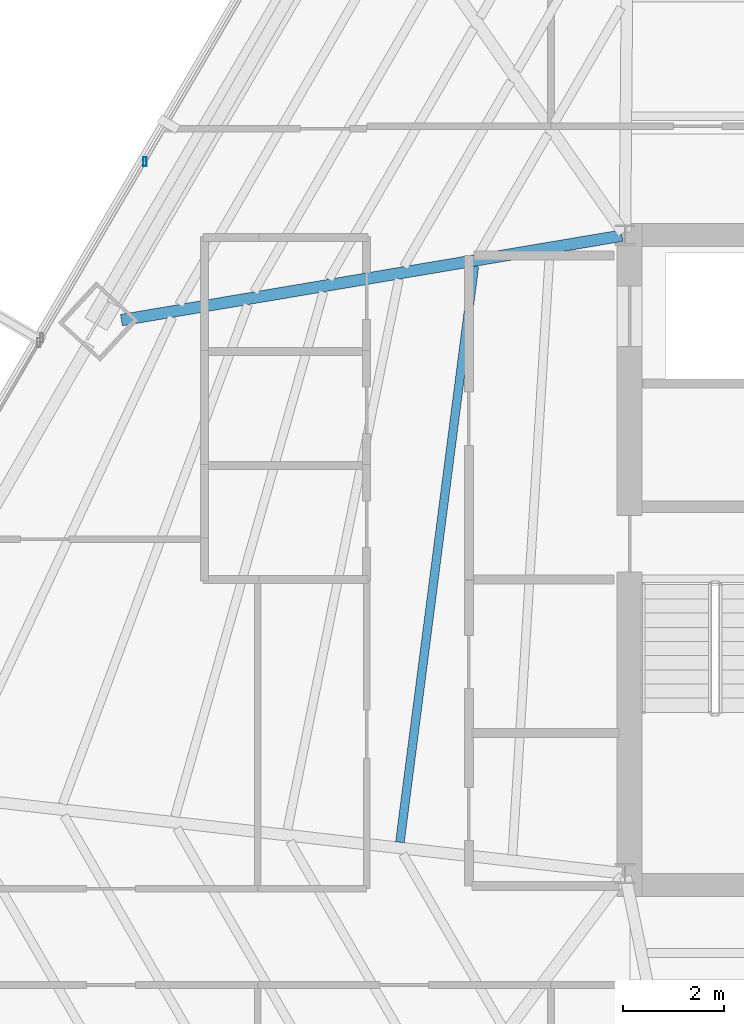
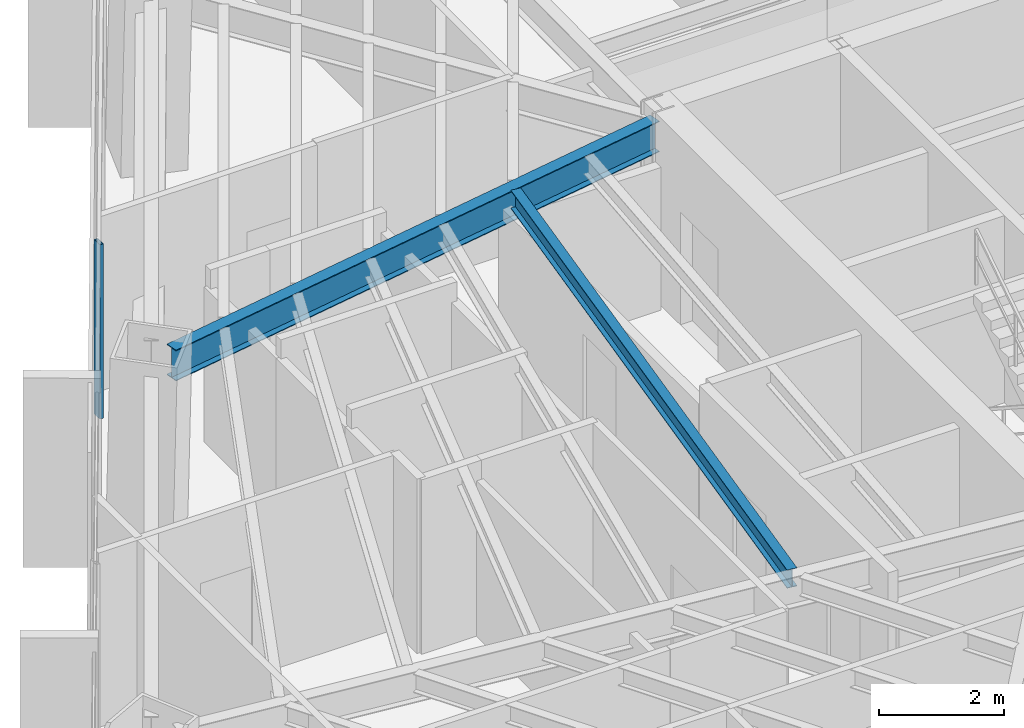
# One storey, part 12 of 37: 2 beams, 1 member, 1 element without a shape of its own.
"""IFC4 building model written with IfcOpenShell, lengths in metres."""

from ifc_helpers import new_model, si_unit, direction, frame, origin, origin_2d, place, context, subcontext, project, spatial, hollow_rectangle, i_section, extrude, source, transform, mapped, material, material_profile, profile_set, type_object, type_shapes, element, aggregate, save


model = new_model("IFC4")

# Units and contexts
model_context = context("Model", 3, precision=1e-05, world=origin(), true_north=direction((0.0, 1.0)))
body_context = subcontext(model_context, "Body", "Model", "MODEL_VIEW")
ifc_project = project(units=[si_unit("LENGTHUNIT", "METRE"), si_unit("AREAUNIT", "SQUARE_METRE"), si_unit("VOLUMEUNIT", "CUBIC_METRE"), si_unit("PLANEANGLEUNIT", "RADIAN"), si_unit("MASSUNIT", "GRAM", prefix="KILO")], contexts=[model_context])

# Site, building, storey
site_placement = place(None, origin())
site = spatial("IfcSite", under=ifc_project, at=site_placement, CompositionType="ELEMENT")
building_placement = place(site_placement, origin())
building = spatial("IfcBuilding", under=site, at=building_placement, Name="Caelisora Broadcast Tower", CompositionType="ELEMENT")
storey_placement = place(building_placement, frame((0.0, 0.0, 105.39990234375)))
storey = spatial("IfcBuildingStorey", under=building, at=storey_placement, Name="L27", CompositionType="ELEMENT", Elevation=105.39990234375)

# Beams
ifc_material_1 = material(Name="Steel Grade 350 (AS/NZS 3679.1)", Category="steel")
ifc_material_profile_1 = material_profile(ifc_material_1, i_section(OverallWidth=0.22802734375, OverallDepth=0.602294921875, WebThickness=0.010498046875, FlangeThickness=0.014892578125, at=origin_2d()), Name="Steel Grade 350 (AS/NZS 3679.1)")
ifc_profile_set_1 = profile_set([ifc_material_profile_1], Name="Steel Grade 350 (AS/NZS 3679.1)")
beam_type_1 = type_object("IfcBeamType", Name="PG04", PredefinedType="BEAM", material=ifc_profile_set_1)
shared_shape_1 = source(origin(), body_context, "Body", "SweptSolid", [
    extrude(i_section(OverallWidth=0.22802734375, OverallDepth=0.602294921875, WebThickness=0.010498046875, FlangeThickness=0.014892578125, at=origin_2d()), origin(), (0.0, 0.0, 1.0), 10.0185546875),
])
type_shapes(beam_type_1, [shared_shape_1])
beam_1_placement = place(storey_placement, frame((30.44091796875, 29.989990234375, 3.098876953125), z_axis=(-0.986051972766, -0.166437697064, 0.0), x_axis=(0.166437697064, -0.986051972766, 0.0)))
element("IfcBeam", 1, at=beam_1_placement, inside=storey, type_object=beam_type_1, Name="L27 beam PG04", PredefinedType="BEAM", context=body_context, shape_type="MappedRepresentation", body=[
    mapped(shared_shape_1, transform((0.0, 0.0, 0.0), scale=1.0)),
])
ifc_material_profile_2 = material_profile(ifc_material_1, i_section(OverallWidth=0.172119140625, OverallDepth=0.358642578125, WebThickness=0.008056640625, FlangeThickness=0.012939453125, at=origin_2d()), Name="Steel Grade 350 (AS/NZS 3679.1)")
ifc_profile_set_2 = profile_set([ifc_material_profile_2], Name="Steel Grade 350 (AS/NZS 3679.1)")
beam_type_2 = type_object("IfcBeamType", Name="SB02", PredefinedType="JOIST", material=ifc_profile_set_2)
shared_shape_2 = source(origin(), body_context, "Body", "SweptSolid", [
    extrude(i_section(OverallWidth=0.172119140625, OverallDepth=0.358642578125, WebThickness=0.008056640625, FlangeThickness=0.012939453125, at=origin_2d()), origin(), (0.0, 0.0, 1.0), 11.4638671875),
])
type_shapes(beam_type_2, [shared_shape_2])
beam_2_placement = place(storey_placement, frame((27.52734375, 29.385498046875, 3.220703125), z_axis=(-0.128119997828, -0.991758673346, 0.0), x_axis=(0.991758673346, -0.128119997828, 0.0)))
element("IfcBeam", 2, at=beam_2_placement, inside=storey, type_object=beam_type_2, Name="L27 beam SB02", PredefinedType="JOIST", context=body_context, shape_type="MappedRepresentation", body=[
    mapped(shared_shape_2, transform((0.0, 0.0, 0.0), scale=1.0)),
])

# Curtain wall, member
ifc_material_2 = material(Name="Unitised Aluminium Insulated Shadow-Box Spandrel Curtain Wall", Category="aluminium")
curtain_wall_type = type_object("IfcCurtainWallType", Name="CW-SP1", PredefinedType="NOTDEFINED", material=ifc_material_2)
curtain_wall_placement = place(storey_placement, origin())
curtain_wall = element("IfcCurtainWall", 3, at=curtain_wall_placement, inside=storey, type_object=curtain_wall_type, Name="L27 curtain wall CW-SP1", PredefinedType="NOTDEFINED")
ifc_material_3 = material(Name="Aluminium 6063-T6 Anodised Terracotta Bronze", Category="aluminium")
ifc_material_profile_3 = material_profile(ifc_material_3, hollow_rectangle(XDim=0.06494140625, YDim=0.179931640625, WallThickness=0.00341796875, at=origin_2d()), Name="Aluminium 6063-T6 Anodised Terracotta Bronze")
ifc_profile_set_3 = profile_set([ifc_material_profile_3], Name="Aluminium 6063-T6 Anodised Terracotta Bronze")
member_type = type_object("IfcMemberType", Name="CWM-02", PredefinedType="MULLION", material=ifc_profile_set_3)
shared_shape_3 = source(origin(), body_context, "Body", "SweptSolid", [
    extrude(hollow_rectangle(XDim=0.06494140625, YDim=0.179931640625, WallThickness=0.00341796875, at=origin_2d()), origin(), (0.0, 0.0, 1.0), 3.400146484375),
])
type_shapes(member_type, [shared_shape_3])
member_placement = place(storey_placement, frame((21.025634765625, 31.449462890625, 0.0), z_axis=(0.0, 0.0, 1.0), x_axis=(1.0, 0.0, 0.0)))
member = element("IfcMember", 4, at=member_placement, type_object=member_type, Name="L27-CW-B10 mullion #1", PredefinedType="MULLION", context=body_context, shape_type="MappedRepresentation", body=[
    mapped(shared_shape_3, transform((0.0, 0.0, 0.0), scale=1.0)),
])
aggregate(curtain_wall, [member])

save(model, "model.ifc")
